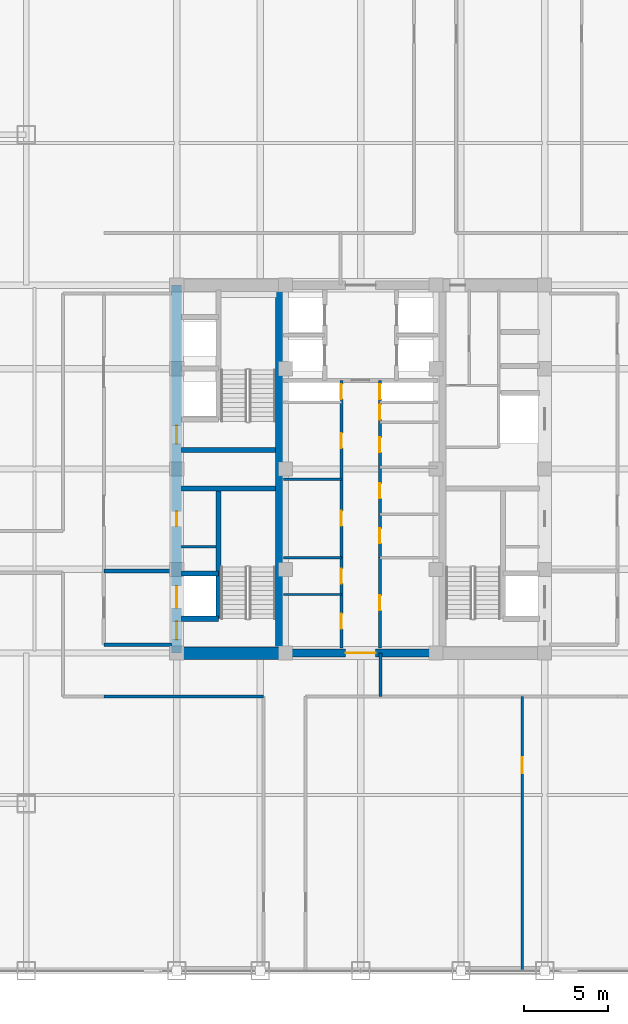
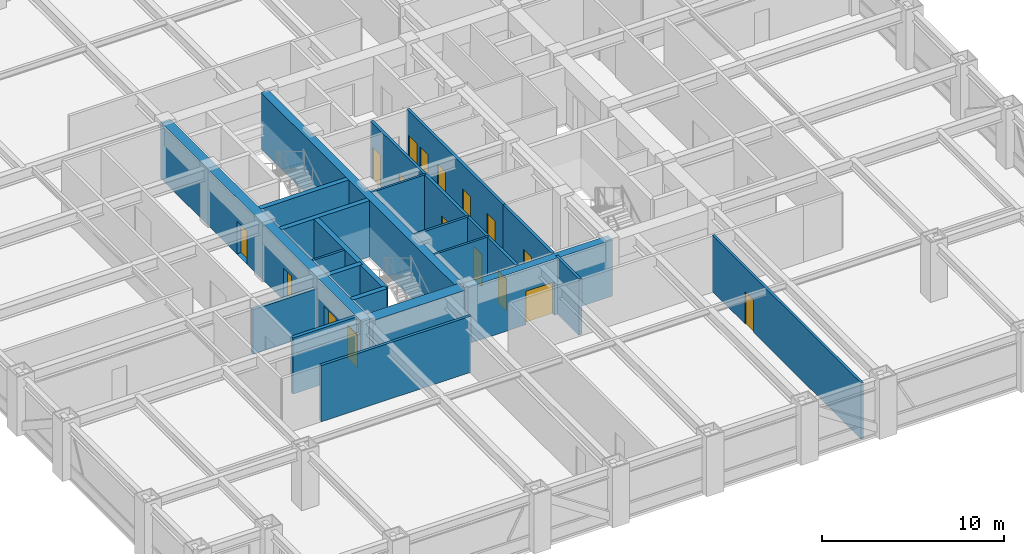
# One storey, part 20 of 24: 22 walls, 17 doors, 17 openings.
"""IFC4 building model written with IfcOpenShell, lengths in metres."""

from ifc_helpers import new_model, si_unit, direction, frame, frame_2d, origin, place, context, subcontext, project, spatial, rectangle, extrude, source, transform, mapped, material, layer, layer_set, type_object, element, fill, save


model = new_model("IFC4")

# Units and contexts
model_context = context("Model", 3, precision=1e-05, world=origin(), true_north=direction((0.0, 1.0)))
body_context = subcontext(model_context, "Body", "Model", "MODEL_VIEW")
ifc_project = project(units=[si_unit("LENGTHUNIT", "METRE"), si_unit("AREAUNIT", "SQUARE_METRE"), si_unit("VOLUMEUNIT", "CUBIC_METRE"), si_unit("PLANEANGLEUNIT", "RADIAN"), si_unit("MASSUNIT", "GRAM", prefix="KILO")], contexts=[model_context])

# Site, building, storey
site_placement = place(None, origin())
site = spatial("IfcSite", under=ifc_project, at=site_placement, CompositionType="ELEMENT")
building_placement = place(site_placement, origin())
building = spatial("IfcBuilding", under=site, at=building_placement, Name="Khorayat Bourse Tower", CompositionType="ELEMENT")
storey_placement = place(building_placement, frame((0.0, 0.0, 163.10009765625)))
storey = spatial("IfcBuildingStorey", under=building, at=storey_placement, Name="L37", CompositionType="ELEMENT", Elevation=163.10009765625)

# Wall, openings, doors
ifc_material_1 = material(Name="Concrete C60/75", Category="concrete")
ifc_layer_1 = layer(ifc_material_1, 0.60009765625)
ifc_layer_set_1 = layer_set([ifc_layer_1], Name="Concrete C60/75")
wall_type_1 = type_object("IfcWallType", Name="WAL-CORE-600", PredefinedType="SHEAR", material=ifc_layer_set_1)
shared_shape_1 = source(origin(), body_context, "Body", "SweptSolid", [
    extrude(rectangle(XDim=22.0, YDim=0.60009765625, at=frame_2d((11.0, 0.0))), origin(), (0.0, 0.0, 1.0), 3.77978515625),
])
wall_1_placement = place(storey_placement, frame((-11.0, -11.0, 0.0), z_axis=(0.0, 0.0, 1.0), x_axis=(0.0, 1.0, 0.0)))
wall_1 = element("IfcWall", 1, at=wall_1_placement, inside=storey, type_object=wall_type_1, Name="L37 Core Shear Wall CORE-W", PredefinedType="SHEAR", context=body_context, shape_type="MappedRepresentation", body=[
    mapped(shared_shape_1, transform((0.0, 0.0, 0.0), scale=1.0)),
])
shared_shape_2 = source(origin(), body_context, "Body", "SweptSolid", [
    extrude(rectangle(XDim=1.10009765625, YDim=2.199951171875, at=frame_2d((0.550048828125, 1.10009765625))), frame((0.0, 0.31005859375, 0.0), z_axis=(0.0, -1.0, 0.0), x_axis=(1.0, 0.0, 0.0)), (0.0, 0.0, 1.0), 0.6201171875),
])
opening_1_placement = place(wall_1_placement, frame((0.800048828125, 0.0, 0.0)))
opening_1 = element("IfcOpeningElement", 2, at=opening_1_placement, cuts=wall_1, Name="Opening DI-01", PredefinedType="OPENING", context=body_context, shape_type="MappedRepresentation", body=[
    mapped(shared_shape_2, transform((0.0, 0.0, 0.0), scale=1.0)),
])
opening_2_placement = place(wall_1_placement, frame((12.5, 0.0, 0.0)))
opening_2 = element("IfcOpeningElement", 3, at=opening_2_placement, cuts=wall_1, Name="Opening DI-01", PredefinedType="OPENING", context=body_context, shape_type="MappedRepresentation", body=[
    mapped(shared_shape_2, transform((0.0, 0.0, 0.0), scale=1.0)),
])
shared_shape_3 = source(origin(), body_context, "Body", "SweptSolid", [
    extrude(rectangle(XDim=0.89990234375, YDim=2.14990234375, at=frame_2d((0.449951171875, 1.074951171875))), frame((0.0, 0.31005859375, 0.0), z_axis=(0.0, -1.0, 0.0), x_axis=(1.0, 0.0, 0.0)), (0.0, 0.0, 1.0), 0.6201171875),
])
opening_3_placement = place(wall_1_placement, frame((7.574951171875, 0.0, 0.0)))
opening_3 = element("IfcOpeningElement", 4, at=opening_3_placement, cuts=wall_1, Name="Opening DI-06", PredefinedType="OPENING", context=body_context, shape_type="MappedRepresentation", body=[
    mapped(shared_shape_3, transform((0.0, 0.0, 0.0), scale=1.0)),
])
shared_shape_4 = source(origin(), body_context, "Body", "SweptSolid", [
    extrude(rectangle(XDim=1.300048828125, YDim=2.300048828125, at=frame_2d((0.64990234375, 1.14990234375))), frame((0.0, 0.31005859375, 0.0), z_axis=(0.0, -1.0, 0.0), x_axis=(1.0, 0.0, 0.0)), (0.0, 0.0, 1.0), 0.6201171875),
])
opening_4_placement = place(wall_1_placement, frame((2.699951171875, 0.0, 0.0)))
opening_4 = element("IfcOpeningElement", 5, at=opening_4_placement, cuts=wall_1, Name="Opening LD-02", PredefinedType="OPENING", context=body_context, shape_type="MappedRepresentation", body=[
    mapped(shared_shape_4, transform((0.0, 0.0, 0.0), scale=1.0)),
])
ifc_material_2 = material(Name="Fire-rated steel acoustic leaf", Category="steel")
door_type_1 = type_object("IfcDoorType", Name="DR-INT-STAIR-1100", OperationType="NOTDEFINED", PredefinedType="DOOR", material=ifc_material_2)
shared_shape_5 = source(origin(), body_context, "Body", "SweptSolid", [
    extrude(rectangle(XDim=1.10009765625, YDim=2.199951171875, at=frame_2d((0.550048828125, 1.10009765625))), frame((0.0, 0.02490234375, 0.0), z_axis=(0.0, -1.0, 0.0), x_axis=(1.0, 0.0, 0.0)), (0.0, 0.0, 1.0), 0.050048828125),
])
door_1_placement = place(opening_1_placement, origin())
door_1 = element("IfcDoor", 6, at=door_1_placement, inside=storey, type_object=door_type_1, Name="L37 Exit Stair 1 Door", OperationType="SINGLE_SWING_RIGHT", OverallHeight=2.199951171875, OverallWidth=1.10009765625, PredefinedType="DOOR", context=body_context, shape_type="MappedRepresentation", body=[
    mapped(shared_shape_5, transform((0.0, 0.0, 0.0), scale=1.0)),
])
fill(opening_1, door_1)
door_2_placement = place(opening_2_placement, origin())
door_2 = element("IfcDoor", 7, at=door_2_placement, inside=storey, type_object=door_type_1, Name="L37 Exit Stair 2 Door", OperationType="SINGLE_SWING_RIGHT", OverallHeight=2.199951171875, OverallWidth=1.10009765625, PredefinedType="DOOR", context=body_context, shape_type="MappedRepresentation", body=[
    mapped(shared_shape_5, transform((0.0, 0.0, 0.0), scale=1.0)),
])
fill(opening_2, door_2)
ifc_material_3 = material(Name="Moisture-resistant laminate washroom door")
door_type_2 = type_object("IfcDoorType", Name="DR-INT-WC-900", OperationType="NOTDEFINED", PredefinedType="DOOR", material=ifc_material_3)
shared_shape_6 = source(origin(), body_context, "Body", "SweptSolid", [
    extrude(rectangle(XDim=0.89990234375, YDim=2.14990234375, at=frame_2d((0.449951171875, 1.074951171875))), frame((0.0, 0.02490234375, 0.0), z_axis=(0.0, -1.0, 0.0), x_axis=(1.0, 0.0, 0.0)), (0.0, 0.0, 1.0), 0.050048828125),
])
door_3_placement = place(opening_3_placement, origin())
door_3 = element("IfcDoor", 8, at=door_3_placement, inside=storey, type_object=door_type_2, Name="L37 UPS Switch Plant Room Door", OperationType="SINGLE_SWING_RIGHT", OverallHeight=2.14990234375, OverallWidth=0.89990234375, PredefinedType="DOOR", context=body_context, shape_type="MappedRepresentation", body=[
    mapped(shared_shape_6, transform((0.0, 0.0, 0.0), scale=1.0)),
])
fill(opening_3, door_3)
ifc_material_4 = material(Name="Fire-rated stainless-steel sliding landing door", Category="steel")
door_type_3 = type_object("IfcDoorType", Name="DR-LIFT-FF-1300", OperationType="NOTDEFINED", PredefinedType="DOOR", material=ifc_material_4)
shared_shape_7 = source(origin(), body_context, "Body", "SweptSolid", [
    extrude(rectangle(XDim=1.300048828125, YDim=2.300048828125, at=frame_2d((0.64990234375, 1.14990234375))), frame((0.0, 0.02490234375, 0.0), z_axis=(0.0, -1.0, 0.0), x_axis=(1.0, 0.0, 0.0)), (0.0, 0.0, 1.0), 0.050048828125),
])
door_4_placement = place(opening_4_placement, origin())
door_4 = element("IfcDoor", 9, at=door_4_placement, inside=storey, type_object=door_type_3, Name="L37 Lift FFL-01 Sliding Landing Door", OperationType="SLIDING_TO_LEFT", OverallHeight=2.300048828125, OverallWidth=1.300048828125, PredefinedType="DOOR", context=body_context, shape_type="MappedRepresentation", body=[
    mapped(shared_shape_7, transform((0.0, 0.0, 0.0), scale=1.0)),
])
fill(opening_4, door_4)

# Walls
ifc_material_5 = material(Name="Concrete C52/65", Category="concrete")
ifc_layer_2 = layer(ifc_material_5, 0.5)
ifc_layer_set_2 = layer_set([ifc_layer_2], Name="Concrete C52/65")
wall_type_2 = type_object("IfcWallType", Name="WAL-CORE-500", PredefinedType="SHEAR", material=ifc_layer_set_2)
shared_shape_8 = source(origin(), body_context, "Body", "SweptSolid", [
    extrude(rectangle(XDim=21.39990234375, YDim=0.5, at=frame_2d((10.699951171875, 0.0))), origin(), (0.0, 0.0, 1.0), 3.77978515625),
])
wall_2_placement = place(storey_placement, frame((-4.85009765625, -10.699951171875, 0.0), z_axis=(0.0, 0.0, 1.0), x_axis=(0.0, 1.0, 0.0)))
element("IfcWall", 10, at=wall_2_placement, inside=storey, type_object=wall_type_2, Name="L37 Core Shear Wall PIER-W", PredefinedType="SHEAR", context=body_context, shape_type="MappedRepresentation", body=[
    mapped(shared_shape_8, transform((0.0, 0.0, 0.0), scale=1.0)),
])
ifc_material_6 = material(Name="Concrete C72/90", Category="concrete")
ifc_layer_3 = layer(ifc_material_6, 0.75)
ifc_layer_set_3 = layer_set([ifc_layer_3], Name="Concrete C72/90")
wall_type_3 = type_object("IfcWallType", Name="WAL-CORE-750", PredefinedType="SHEAR", material=ifc_layer_set_3)
shared_shape_9 = source(origin(), body_context, "Body", "SweptSolid", [
    extrude(rectangle(XDim=5.849853515625, YDim=0.75, at=frame_2d((2.9248046875, 0.0))), origin(), (0.0, 0.0, 1.0), 3.77978515625),
])
wall_3_placement = place(storey_placement, frame((-10.699951171875, -11.0, 0.0), z_axis=(0.0, 0.0, 1.0), x_axis=(1.0, 0.0, 0.0)))
element("IfcWall", 11, at=wall_3_placement, inside=storey, type_object=wall_type_3, Name="L37 Core Shear Wall PIER-WS", PredefinedType="SHEAR", context=body_context, shape_type="MappedRepresentation", body=[
    mapped(shared_shape_9, transform((0.0, 0.0, 0.0), scale=1.0)),
])
ifc_material_7 = material(Name="Concrete C50/60", Category="concrete")
ifc_layer_4 = layer(ifc_material_7, 0.300048828125)
ifc_layer_set_4 = layer_set([ifc_layer_4], Name="Concrete C50/60")
wall_type_4 = type_object("IfcWallType", Name="WAL-SHAFT-300", PredefinedType="SHEAR", material=ifc_layer_set_4)
shared_shape_10 = source(origin(), body_context, "Body", "SweptSolid", [
    extrude(rectangle(XDim=5.599853515625, YDim=0.300048828125, at=frame_2d((2.7998046875, 0.0))), origin(), (0.0, 0.0, 1.0), 3.77978515625),
])
for number, where, z_axis, x_axis, name in (
    (12, (-10.699951171875, -1.14990234375, 0.0), (0.0, 0.0, 1.0), (1.0, 0.0, 0.0), "L37 Core Shear Wall ST1-DIV"),
    (13, (-10.699951171875, 1.14990234375, 0.0), (0.0, 0.0, 1.0), (1.0, 0.0, 0.0), "L37 Core Shear Wall ST2-DIV"),
):
    element("IfcWall", number, at=place(storey_placement, frame(where, z_axis=z_axis, x_axis=x_axis)), inside=storey, type_object=wall_type_4, Name=name, PredefinedType="SHEAR", context=body_context, shape_type="MappedRepresentation", body=[
        mapped(shared_shape_10, transform((0.0, 0.0, 0.0), scale=1.0)),
    ])

# Wall, opening, door
shared_shape_11 = source(origin(), body_context, "Body", "SweptSolid", [
    extrude(rectangle(XDim=9.2001953125, YDim=0.5, at=frame_2d((4.60009765625, 0.0))), origin(), (0.0, 0.0, 1.0), 3.77978515625),
])
wall_4_placement = place(storey_placement, frame((-4.60009765625, -11.0, 0.0), z_axis=(0.0, 0.0, 1.0), x_axis=(1.0, 0.0, 0.0)))
wall_4 = element("IfcWall", 14, at=wall_4_placement, inside=storey, type_object=wall_type_2, Name="L37 Core Shear Wall CORE-S", PredefinedType="SHEAR", context=body_context, shape_type="MappedRepresentation", body=[
    mapped(shared_shape_11, transform((0.0, 0.0, 0.0), scale=1.0)),
])
shared_shape_12 = source(origin(), body_context, "Body", "SweptSolid", [
    extrude(rectangle(XDim=1.800048828125, YDim=2.25, at=frame_2d((0.89990234375, 1.125))), frame((0.0, 0.260009765625, 0.0), z_axis=(0.0, -1.0, 0.0), x_axis=(1.0, 0.0, 0.0)), (0.0, 0.0, 1.0), 0.52001953125),
])
opening_5_placement = place(wall_4_placement, frame((3.699951171875, 0.0, 0.0)))
opening_5 = element("IfcOpeningElement", 15, at=opening_5_placement, cuts=wall_4, Name="Opening DI-03", PredefinedType="OPENING", context=body_context, shape_type="MappedRepresentation", body=[
    mapped(shared_shape_12, transform((0.0, 0.0, 0.0), scale=1.0)),
])
ifc_material_8 = material(Name="Fire-rated hardwood vision-panel double leaf", Category="wood")
door_type_4 = type_object("IfcDoorType", Name="DR-INT-CORR-1800", OperationType="NOTDEFINED", PredefinedType="DOOR", material=ifc_material_8)
shared_shape_13 = source(origin(), body_context, "Body", "SweptSolid", [
    extrude(rectangle(XDim=1.800048828125, YDim=2.25, at=frame_2d((0.89990234375, 1.125))), frame((0.0, 0.02490234375, 0.0), z_axis=(0.0, -1.0, 0.0), x_axis=(1.0, 0.0, 0.0)), (0.0, 0.0, 1.0), 0.050048828125),
])
door_5_placement = place(opening_5_placement, origin())
door_5 = element("IfcDoor", 16, at=door_5_placement, inside=storey, type_object=door_type_4, Name="L37 Central Core South Passage Door", OperationType="SINGLE_SWING_LEFT", OverallHeight=2.25, OverallWidth=1.800048828125, PredefinedType="DOOR", context=body_context, shape_type="MappedRepresentation", body=[
    mapped(shared_shape_13, transform((0.0, 0.0, 0.0), scale=1.0)),
])
fill(opening_5, door_5)

# Walls
shared_shape_14 = source(origin(), body_context, "Body", "SweptSolid", [
    extrude(rectangle(XDim=7.800048828125, YDim=0.300048828125, at=frame_2d((3.89990234375, 0.0))), origin(), (0.0, 0.0, 1.0), 3.77978515625),
])
wall_5_placement = place(storey_placement, frame((-8.5, -8.949951171875, 0.0), z_axis=(0.0, 0.0, 1.0), x_axis=(0.0, 1.0, 0.0)))
element("IfcWall", 17, at=wall_5_placement, inside=storey, type_object=wall_type_4, Name="L37 Partition WAL-L37-WPIER-SP", PredefinedType="SHEAR", context=body_context, shape_type="MappedRepresentation", body=[
    mapped(shared_shape_14, transform((0.0, 0.0, 0.0), scale=1.0)),
])
shared_shape_15 = source(origin(), body_context, "Body", "SweptSolid", [
    extrude(rectangle(XDim=2.199951171875, YDim=0.300048828125, at=frame_2d((1.10009765625, 0.0))), origin(), (0.0, 0.0, 1.0), 3.77978515625),
])
for number, where, z_axis, x_axis, name in (
    (18, (-10.699951171875, -8.949951171875, 0.0), (0.0, 0.0, 1.0), (1.0, 0.0, 0.0), "L37 Partition WAL-L37-WPIER-FF1S"),
    (19, (-10.699951171875, -6.25, 0.0), (0.0, 0.0, 1.0), (1.0, 0.0, 0.0), "L37 Partition WAL-L37-WPIER-FF1N"),
):
    element("IfcWall", number, at=place(storey_placement, frame(where, z_axis=z_axis, x_axis=x_axis)), inside=storey, type_object=wall_type_4, Name=name, PredefinedType="SHEAR", context=body_context, shape_type="MappedRepresentation", body=[
        mapped(shared_shape_15, transform((0.0, 0.0, 0.0), scale=1.0)),
    ])
ifc_material_9 = material(Name="Gypsum plasterboard twin-frame partition")
ifc_layer_5 = layer(ifc_material_9, 0.14990234375)
ifc_layer_set_5 = layer_set([ifc_layer_5], Name="Gypsum plasterboard twin-frame partition")
wall_type_5 = type_object("IfcWallType", Name="WAL-PART-SUITE-150", PredefinedType="PARTITIONING", material=ifc_layer_set_5)
shared_shape_16 = source(origin(), body_context, "Body", "SweptSolid", [
    extrude(rectangle(XDim=2.050048828125, YDim=0.14990234375, at=frame_2d((1.02490234375, 0.0))), origin(), (0.0, 0.0, 1.0), 3.77978515625),
])
wall_6_placement = place(storey_placement, frame((-10.699951171875, -4.64990234375, 0.0), z_axis=(0.0, 0.0, 1.0), x_axis=(1.0, 0.0, 0.0)))
element("IfcWall", 20, at=wall_6_placement, inside=storey, type_object=wall_type_5, Name="L37 Partition WAL-L37-WSRV-S0", PredefinedType="PARTITIONING", context=body_context, shape_type="MappedRepresentation", body=[
    mapped(shared_shape_16, transform((0.0, 0.0, 0.0), scale=1.0)),
])
ifc_material_10 = material(Name="Aerated concrete blockwork", Category="masonry")
ifc_layer_6 = layer(ifc_material_10, 0.219970703125)
ifc_layer_set_6 = layer_set([ifc_layer_6], Name="Aerated concrete blockwork")
wall_type_6 = type_object("IfcWallType", Name="WAL-PART-FF-220", PredefinedType="PARTITIONING", material=ifc_layer_set_6)
shared_shape_17 = source(origin(), body_context, "Body", "SweptSolid", [
    extrude(rectangle(XDim=4.050048828125, YDim=0.219970703125, at=frame_2d((2.02490234375, 0.0))), origin(), (0.0, 0.0, 1.0), 3.77978515625),
])
wall_7_placement = place(storey_placement, frame((-15.35009765625, -10.5, 0.0), z_axis=(0.0, 0.0, 1.0), x_axis=(1.0, 0.0, 0.0)))
element("IfcWall", 21, at=wall_7_placement, inside=storey, type_object=wall_type_6, Name="L37 Partition WAL-L37-FFLW-S", PredefinedType="PARTITIONING", context=body_context, shape_type="MappedRepresentation", body=[
    mapped(shared_shape_17, transform((0.0, 0.0, 0.0), scale=1.0)),
])
shared_shape_18 = source(origin(), body_context, "Body", "SweptSolid", [
    extrude(rectangle(XDim=4.050048828125, YDim=0.219970703125, at=frame_2d((2.02490234375, 0.0))), origin(), (0.0, 0.0, 1.0), 3.0068359375),
])
wall_8_placement = place(storey_placement, frame((-15.35009765625, -6.10009765625, 0.0), z_axis=(0.0, 0.0, 1.0), x_axis=(1.0, 0.0, 0.0)))
element("IfcWall", 22, at=wall_8_placement, inside=storey, type_object=wall_type_6, Name="L37 Partition WAL-L37-FFLW-N", PredefinedType="PARTITIONING", context=body_context, shape_type="MappedRepresentation", body=[
    mapped(shared_shape_18, transform((0.0, 0.0, 0.0), scale=1.0)),
])
shared_shape_19 = source(origin(), body_context, "Body", "SweptSolid", [
    extrude(rectangle(XDim=3.4501953125, YDim=0.14990234375, at=frame_2d((1.72509765625, 0.0))), origin(), (0.0, 0.0, 1.0), 3.77978515625),
])
wall_9_placement = place(storey_placement, frame((-4.60009765625, -5.300048828125, 0.0), z_axis=(0.0, 0.0, 1.0), x_axis=(1.0, 0.0, 0.0)))
element("IfcWall", 23, at=wall_9_placement, inside=storey, type_object=wall_type_5, Name="L37 Partition WAL-L37-FB1-NW", PredefinedType="PARTITIONING", context=body_context, shape_type="MappedRepresentation", body=[
    mapped(shared_shape_19, transform((0.0, 0.0, 0.0), scale=1.0)),
])
ifc_material_11 = material(Name="Moisture-resistant masonry partition", Category="masonry")
ifc_layer_7 = layer(ifc_material_11, 0.139892578125)
ifc_layer_set_7 = layer_set([ifc_layer_7], Name="Moisture-resistant masonry partition")
wall_type_7 = type_object("IfcWallType", Name="WAL-PART-WET-140", PredefinedType="PARTITIONING", material=ifc_layer_set_7)
shared_shape_20 = source(origin(), body_context, "Body", "SweptSolid", [
    extrude(rectangle(XDim=3.4501953125, YDim=0.139892578125, at=frame_2d((1.72509765625, 0.0))), origin(), (0.0, 0.0, 1.0), 3.77978515625),
])
for number, where, z_axis, x_axis, name in (
    (24, (-4.60009765625, -7.5, 0.0), (0.0, 0.0, 1.0), (1.0, 0.0, 0.0), "L37 Partition WAL-L37-FB1W-D1"),
    (25, (-4.60009765625, -0.60009765625, 0.0), (0.0, 0.0, 1.0), (1.0, 0.0, 0.0), "L37 Partition WAL-L37-CMW-D1"),
):
    element("IfcWall", number, at=place(storey_placement, frame(where, z_axis=z_axis, x_axis=x_axis)), inside=storey, type_object=wall_type_7, Name=name, PredefinedType="PARTITIONING", context=body_context, shape_type="MappedRepresentation", body=[
        mapped(shared_shape_20, transform((0.0, 0.0, 0.0), scale=1.0)),
    ])

# Wall, openings, doors
ifc_material_12 = material(Name="Gypsum plasterboard acoustic stud wall")
ifc_layer_8 = layer(ifc_material_12, 0.179931640625)
ifc_layer_set_8 = layer_set([ifc_layer_8], Name="Gypsum plasterboard acoustic stud wall")
wall_type_8 = type_object("IfcWallType", Name="WAL-PART-CORR-180", PredefinedType="PARTITIONING", material=ifc_layer_set_8)
shared_shape_21 = source(origin(), body_context, "Body", "SweptSolid", [
    extrude(rectangle(XDim=5.39990234375, YDim=0.179931640625, at=frame_2d((2.699951171875, 0.0))), origin(), (0.0, 0.0, 1.0), 3.77978515625),
])
wall_10_placement = place(storey_placement, frame((-1.14990234375, -10.699951171875, 0.0), z_axis=(0.0, 0.0, 1.0), x_axis=(0.0, 1.0, 0.0)))
wall_10 = element("IfcWall", 26, at=wall_10_placement, inside=storey, type_object=wall_type_8, Name="L37 Partition WAL-L37-FB1W-L", PredefinedType="PARTITIONING", context=body_context, shape_type="MappedRepresentation", body=[
    mapped(shared_shape_21, transform((0.0, 0.0, 0.0), scale=1.0)),
])
shared_shape_22 = source(origin(), body_context, "Body", "SweptSolid", [
    extrude(rectangle(XDim=0.89990234375, YDim=2.14990234375, at=frame_2d((0.449951171875, 1.074951171875))), frame((0.0, 0.099853515625, 0.0), z_axis=(0.0, -1.0, 0.0), x_axis=(1.0, 0.0, 0.0)), (0.0, 0.0, 1.0), 0.199951171875),
])
opening_6_placement = place(wall_10_placement, frame((1.14990234375, 0.0, 0.0)))
opening_6 = element("IfcOpeningElement", 27, at=opening_6_placement, cuts=wall_10, Name="Opening DI-06", PredefinedType="OPENING", context=body_context, shape_type="MappedRepresentation", body=[
    mapped(shared_shape_22, transform((0.0, 0.0, 0.0), scale=1.0)),
])
opening_7_placement = place(wall_10_placement, frame((3.85009765625, 0.0, 0.0)))
opening_7 = element("IfcOpeningElement", 28, at=opening_7_placement, cuts=wall_10, Name="Opening DI-06", PredefinedType="OPENING", context=body_context, shape_type="MappedRepresentation", body=[
    mapped(shared_shape_22, transform((0.0, 0.0, 0.0), scale=1.0)),
])
door_6_placement = place(opening_6_placement, origin())
door_6 = element("IfcDoor", 29, at=door_6_placement, inside=storey, type_object=door_type_2, Name="L37 Records Vault Store Door", OperationType="SINGLE_SWING_RIGHT", OverallHeight=2.14990234375, OverallWidth=0.89990234375, PredefinedType="DOOR", context=body_context, shape_type="MappedRepresentation", body=[
    mapped(shared_shape_6, transform((0.0, 0.0, 0.0), scale=1.0)),
])
fill(opening_6, door_6)
door_7_placement = place(opening_7_placement, origin())
door_7 = element("IfcDoor", 30, at=door_7_placement, inside=storey, type_object=door_type_2, Name="L37 Sprinkler Valve Plant Room Door", OperationType="SINGLE_SWING_LEFT", OverallHeight=2.14990234375, OverallWidth=0.89990234375, PredefinedType="DOOR", context=body_context, shape_type="MappedRepresentation", body=[
    mapped(shared_shape_6, transform((0.0, 0.0, 0.0), scale=1.0)),
])
fill(opening_7, door_7)

# Wall, opening, door
wall_11_placement = place(storey_placement, frame((1.14990234375, -10.699951171875, 0.0), z_axis=(0.0, 0.0, 1.0), x_axis=(0.0, 1.0, 0.0)))
wall_11 = element("IfcWall", 31, at=wall_11_placement, inside=storey, type_object=wall_type_8, Name="L37 Partition WAL-L37-FB1E-L", PredefinedType="PARTITIONING", context=body_context, shape_type="MappedRepresentation", body=[
    mapped(shared_shape_21, transform((0.0, 0.0, 0.0), scale=1.0)),
])
opening_8_placement = place(wall_11_placement, frame((2.25, 0.0, 0.0)))
opening_8 = element("IfcOpeningElement", 32, at=opening_8_placement, cuts=wall_11, Name="Opening DI-06", PredefinedType="OPENING", context=body_context, shape_type="MappedRepresentation", body=[
    mapped(shared_shape_22, transform((0.0, 0.0, 0.0), scale=1.0)),
])
door_8_placement = place(opening_8_placement, origin())
door_8 = element("IfcDoor", 33, at=door_8_placement, inside=storey, type_object=door_type_2, Name="L37 Telemetry Server Plant Room Door", OperationType="SINGLE_SWING_RIGHT", OverallHeight=2.14990234375, OverallWidth=0.89990234375, PredefinedType="DOOR", context=body_context, shape_type="MappedRepresentation", body=[
    mapped(shared_shape_6, transform((0.0, 0.0, 0.0), scale=1.0)),
])
fill(opening_8, door_8)

# Wall, openings, doors
shared_shape_23 = source(origin(), body_context, "Body", "SweptSolid", [
    extrude(rectangle(XDim=10.60009765625, YDim=0.179931640625, at=frame_2d((5.300048828125, 0.0))), origin(), (0.0, 0.0, 1.0), 3.77978515625),
])
wall_12_placement = place(storey_placement, frame((-1.14990234375, -5.300048828125, 0.0), z_axis=(0.0, 0.0, 1.0), x_axis=(0.0, 1.0, 0.0)))
wall_12 = element("IfcWall", 34, at=wall_12_placement, inside=storey, type_object=wall_type_8, Name="L37 Partition WAL-L37-CMW-L", PredefinedType="PARTITIONING", context=body_context, shape_type="MappedRepresentation", body=[
    mapped(shared_shape_23, transform((0.0, 0.0, 0.0), scale=1.0)),
])
opening_9_placement = place(wall_12_placement, frame((1.89990234375, 0.0, 0.0)))
opening_9 = element("IfcOpeningElement", 35, at=opening_9_placement, cuts=wall_12, Name="Opening DI-06", PredefinedType="OPENING", context=body_context, shape_type="MappedRepresentation", body=[
    mapped(shared_shape_22, transform((0.0, 0.0, 0.0), scale=1.0)),
])
opening_10_placement = place(wall_12_placement, frame((6.550048828125, 0.0, 0.0)))
opening_10 = element("IfcOpeningElement", 36, at=opening_10_placement, cuts=wall_12, Name="Opening DI-06", PredefinedType="OPENING", context=body_context, shape_type="MappedRepresentation", body=[
    mapped(shared_shape_22, transform((0.0, 0.0, 0.0), scale=1.0)),
])
opening_11_placement = place(wall_12_placement, frame((9.47509765625, 0.0, 0.0)))
opening_11 = element("IfcOpeningElement", 37, at=opening_11_placement, cuts=wall_12, Name="Opening DI-06", PredefinedType="OPENING", context=body_context, shape_type="MappedRepresentation", body=[
    mapped(shared_shape_22, transform((0.0, 0.0, 0.0), scale=1.0)),
])
door_9_placement = place(opening_9_placement, origin())
door_9 = element("IfcDoor", 38, at=door_9_placement, inside=storey, type_object=door_type_2, Name="L37 Male Core Washroom Door", OperationType="SINGLE_SWING_RIGHT", OverallHeight=2.14990234375, OverallWidth=0.89990234375, PredefinedType="DOOR", context=body_context, shape_type="MappedRepresentation", body=[
    mapped(shared_shape_6, transform((0.0, 0.0, 0.0), scale=1.0)),
])
fill(opening_9, door_9)
door_10_placement = place(opening_10_placement, origin())
door_10 = element("IfcDoor", 39, at=door_10_placement, inside=storey, type_object=door_type_2, Name="L37 Chilled Water Riser Plant Room Door", OperationType="SINGLE_SWING_LEFT", OverallHeight=2.14990234375, OverallWidth=0.89990234375, PredefinedType="DOOR", context=body_context, shape_type="MappedRepresentation", body=[
    mapped(shared_shape_6, transform((0.0, 0.0, 0.0), scale=1.0)),
])
fill(opening_10, door_10)
door_11_placement = place(opening_11_placement, origin())
door_11 = element("IfcDoor", 40, at=door_11_placement, inside=storey, type_object=door_type_2, Name="L37 West Core Riser Door", OperationType="SINGLE_SWING_LEFT", OverallHeight=2.14990234375, OverallWidth=0.89990234375, PredefinedType="DOOR", context=body_context, shape_type="MappedRepresentation", body=[
    mapped(shared_shape_6, transform((0.0, 0.0, 0.0), scale=1.0)),
])
fill(opening_11, door_11)

wall_13_placement = place(storey_placement, frame((1.14990234375, -5.300048828125, 0.0), z_axis=(0.0, 0.0, 1.0), x_axis=(0.0, 1.0, 0.0)))
wall_13 = element("IfcWall", 41, at=wall_13_placement, inside=storey, type_object=wall_type_8, Name="L37 Partition WAL-L37-CME-L", PredefinedType="PARTITIONING", context=body_context, shape_type="MappedRepresentation", body=[
    mapped(shared_shape_23, transform((0.0, 0.0, 0.0), scale=1.0)),
])
opening_12_placement = place(wall_13_placement, frame((0.85009765625, 0.0, 0.0)))
opening_12 = element("IfcOpeningElement", 42, at=opening_12_placement, cuts=wall_13, Name="Opening DI-06", PredefinedType="OPENING", context=body_context, shape_type="MappedRepresentation", body=[
    mapped(shared_shape_22, transform((0.0, 0.0, 0.0), scale=1.0)),
])
opening_13_placement = place(wall_13_placement, frame((3.550048828125, 0.0, 0.0)))
opening_13 = element("IfcOpeningElement", 43, at=opening_13_placement, cuts=wall_13, Name="Opening DI-06", PredefinedType="OPENING", context=body_context, shape_type="MappedRepresentation", body=[
    mapped(shared_shape_22, transform((0.0, 0.0, 0.0), scale=1.0)),
])
opening_14_placement = place(wall_13_placement, frame((6.300048828125, 0.0, 0.0)))
opening_14 = element("IfcOpeningElement", 44, at=opening_14_placement, cuts=wall_13, Name="Opening DI-06", PredefinedType="OPENING", context=body_context, shape_type="MappedRepresentation", body=[
    mapped(shared_shape_22, transform((0.0, 0.0, 0.0), scale=1.0)),
])
opening_15_placement = place(wall_13_placement, frame((8.25, 0.0, 0.0)))
opening_15 = element("IfcOpeningElement", 45, at=opening_15_placement, cuts=wall_13, Name="Opening DI-06", PredefinedType="OPENING", context=body_context, shape_type="MappedRepresentation", body=[
    mapped(shared_shape_22, transform((0.0, 0.0, 0.0), scale=1.0)),
])
opening_16_placement = place(wall_13_placement, frame((9.47509765625, 0.0, 0.0)))
opening_16 = element("IfcOpeningElement", 46, at=opening_16_placement, cuts=wall_13, Name="Opening DI-06", PredefinedType="OPENING", context=body_context, shape_type="MappedRepresentation", body=[
    mapped(shared_shape_22, transform((0.0, 0.0, 0.0), scale=1.0)),
])
door_12_placement = place(opening_12_placement, origin())
door_12 = element("IfcDoor", 47, at=door_12_placement, inside=storey, type_object=door_type_2, Name="L37 Female Core Washroom Door", OperationType="SINGLE_SWING_RIGHT", OverallHeight=2.14990234375, OverallWidth=0.89990234375, PredefinedType="DOOR", context=body_context, shape_type="MappedRepresentation", body=[
    mapped(shared_shape_6, transform((0.0, 0.0, 0.0), scale=1.0)),
])
fill(opening_12, door_12)
door_13_placement = place(opening_13_placement, origin())
door_13 = element("IfcDoor", 48, at=door_13_placement, inside=storey, type_object=door_type_2, Name="L37 Comms Patch Room Door", OperationType="SINGLE_SWING_LEFT", OverallHeight=2.14990234375, OverallWidth=0.89990234375, PredefinedType="DOOR", context=body_context, shape_type="MappedRepresentation", body=[
    mapped(shared_shape_6, transform((0.0, 0.0, 0.0), scale=1.0)),
])
fill(opening_13, door_13)
door_14_placement = place(opening_14_placement, origin())
door_14 = element("IfcDoor", 49, at=door_14_placement, inside=storey, type_object=door_type_2, Name="L37 Janitor Cupboard Door", OperationType="SINGLE_SWING_RIGHT", OverallHeight=2.14990234375, OverallWidth=0.89990234375, PredefinedType="DOOR", context=body_context, shape_type="MappedRepresentation", body=[
    mapped(shared_shape_6, transform((0.0, 0.0, 0.0), scale=1.0)),
])
fill(opening_14, door_14)
door_15_placement = place(opening_15_placement, origin())
door_15 = element("IfcDoor", 50, at=door_15_placement, inside=storey, type_object=door_type_2, Name="L37 Fire Valve Plant Room Door", OperationType="SINGLE_SWING_LEFT", OverallHeight=2.14990234375, OverallWidth=0.89990234375, PredefinedType="DOOR", context=body_context, shape_type="MappedRepresentation", body=[
    mapped(shared_shape_6, transform((0.0, 0.0, 0.0), scale=1.0)),
])
fill(opening_15, door_15)
door_16_placement = place(opening_16_placement, origin())
door_16 = element("IfcDoor", 51, at=door_16_placement, inside=storey, type_object=door_type_2, Name="L37 East Core Riser Door", OperationType="SINGLE_SWING_RIGHT", OverallHeight=2.14990234375, OverallWidth=0.89990234375, PredefinedType="DOOR", context=body_context, shape_type="MappedRepresentation", body=[
    mapped(shared_shape_6, transform((0.0, 0.0, 0.0), scale=1.0)),
])
fill(opening_16, door_16)

# Walls
shared_shape_24 = source(origin(), body_context, "Body", "SweptSolid", [
    extrude(rectangle(XDim=2.60009765625, YDim=0.179931640625, at=frame_2d((1.300048828125, 0.0))), origin(), (0.0, 0.0, 1.0), 3.77978515625),
])
wall_14_placement = place(storey_placement, frame((1.199951171875, -13.60009765625, 0.0), z_axis=(0.0, 0.0, 1.0), x_axis=(0.0, 1.0, 0.0)))
element("IfcWall", 52, at=wall_14_placement, inside=storey, type_object=wall_type_8, Name="L37 Partition WAL-L37-C2-SCE", PredefinedType="PARTITIONING", context=body_context, shape_type="MappedRepresentation", body=[
    mapped(shared_shape_24, transform((0.0, 0.0, 0.0), scale=1.0)),
])
shared_shape_25 = source(origin(), body_context, "Body", "SweptSolid", [
    extrude(rectangle(XDim=9.550048828125, YDim=0.179931640625, at=frame_2d((4.77490234375, 0.0))), origin(), (0.0, 0.0, 1.0), 3.77978515625),
])
wall_15_placement = place(storey_placement, frame((-15.35009765625, -13.60009765625, 0.0), z_axis=(0.0, 0.0, 1.0), x_axis=(1.0, 0.0, 0.0)))
element("IfcWall", 53, at=wall_15_placement, inside=storey, type_object=wall_type_8, Name="L37 Partition WAL-L37-QSW-HC", PredefinedType="PARTITIONING", context=body_context, shape_type="MappedRepresentation", body=[
    mapped(shared_shape_25, transform((0.0, 0.0, 0.0), scale=1.0)),
])

# Wall, opening, door
shared_shape_26 = source(origin(), body_context, "Body", "SweptSolid", [
    extrude(rectangle(XDim=16.39990234375, YDim=0.14990234375, at=frame_2d((8.199951171875, 0.0))), origin(), (0.0, 0.0, 1.0), 3.77978515625),
])
wall_16_placement = place(storey_placement, frame((9.659912109375, -30.0, 0.0), z_axis=(0.0, 0.0, 1.0), x_axis=(0.0, 1.0, 0.0)))
wall_16 = element("IfcWall", 54, at=wall_16_placement, inside=storey, type_object=wall_type_5, Name="L37 Partition WAL-L37-QSEDV-1", PredefinedType="PARTITIONING", context=body_context, shape_type="MappedRepresentation", body=[
    mapped(shared_shape_26, transform((0.0, 0.0, 0.0), scale=1.0)),
])
shared_shape_27 = source(origin(), body_context, "Body", "SweptSolid", [
    extrude(rectangle(XDim=0.949951171875, YDim=2.14990234375, at=frame_2d((0.47509765625, 1.074951171875))), frame((0.0, 0.0849609375, 0.0), z_axis=(0.0, -1.0, 0.0), x_axis=(1.0, 0.0, 0.0)), (0.0, 0.0, 1.0), 0.169921875),
])
opening_17_placement = place(wall_16_placement, frame((11.824951171875, 0.0, 0.0)))
opening_17 = element("IfcOpeningElement", 55, at=opening_17_placement, cuts=wall_16, Name="Opening DI-05", PredefinedType="OPENING", context=body_context, shape_type="MappedRepresentation", body=[
    mapped(shared_shape_27, transform((0.0, 0.0, 0.0), scale=1.0)),
])
ifc_material_13 = material(Name="Acoustic oak veneer office door")
door_type_5 = type_object("IfcDoorType", Name="DR-INT-OFFICE-950", OperationType="NOTDEFINED", PredefinedType="DOOR", material=ifc_material_13)
shared_shape_28 = source(origin(), body_context, "Body", "SweptSolid", [
    extrude(rectangle(XDim=0.949951171875, YDim=2.14990234375, at=frame_2d((0.47509765625, 1.074951171875))), frame((0.0, 0.02490234375, 0.0), z_axis=(0.0, -1.0, 0.0), x_axis=(1.0, 0.0, 0.0)), (0.0, 0.0, 1.0), 0.050048828125),
])
door_17_placement = place(opening_17_placement, origin())
door_17 = element("IfcDoor", 56, at=door_17_placement, inside=storey, type_object=door_type_5, Name="L37 South-East Suite Link 1", OperationType="SINGLE_SWING_RIGHT", OverallHeight=2.14990234375, OverallWidth=0.949951171875, PredefinedType="DOOR", context=body_context, shape_type="MappedRepresentation", body=[
    mapped(shared_shape_28, transform((0.0, 0.0, 0.0), scale=1.0)),
])
fill(opening_17, door_17)

save(model, "model.ifc")
